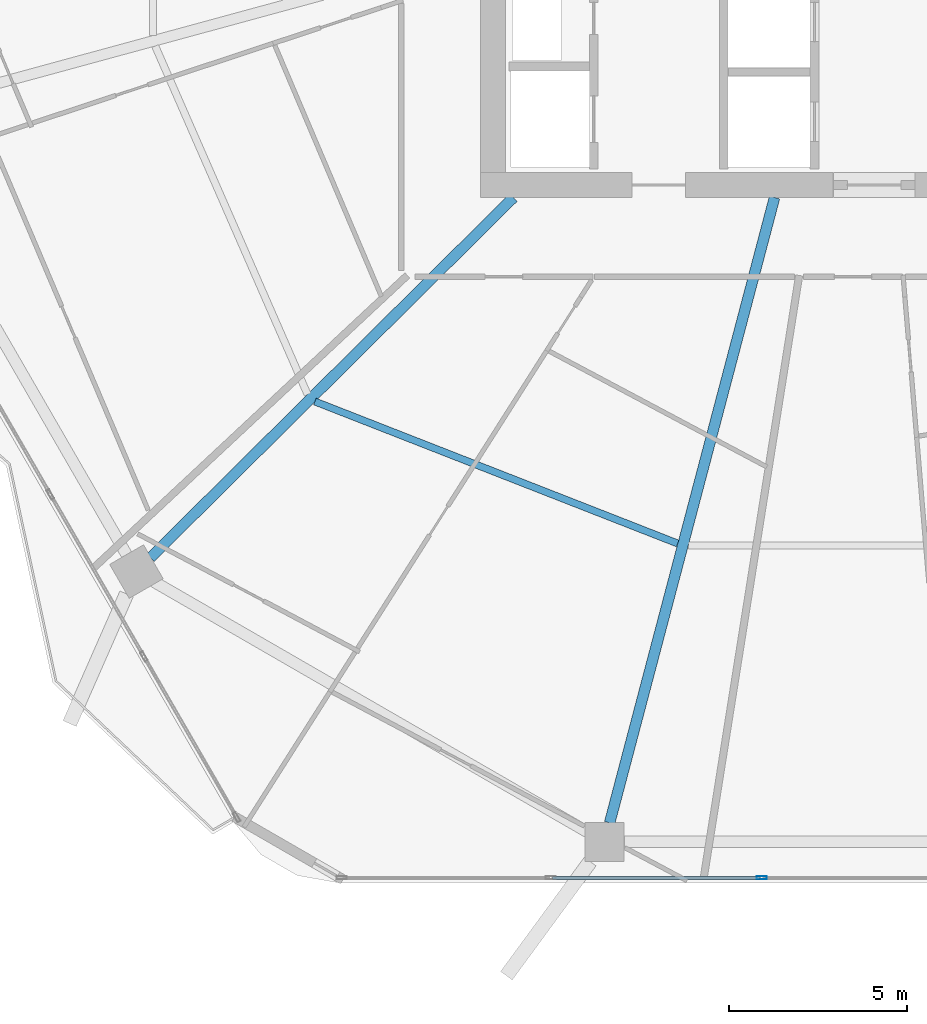
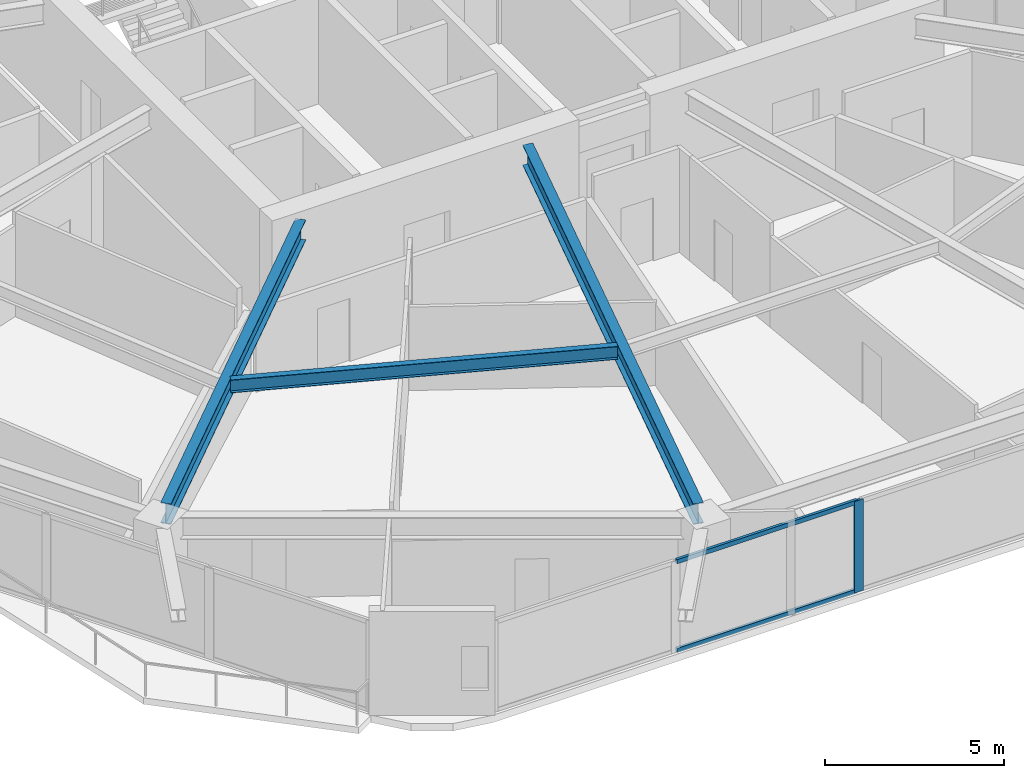
# One storey, part 3 of 29: 3 beams, 3 members, 1 element without a shape of its own.
"""IFC4 building model written with IfcOpenShell, lengths in metres."""

from ifc_helpers import new_model, si_unit, direction, frame, origin, origin_2d, place, context, subcontext, project, spatial, hollow_rectangle, i_section, extrude, material, material_profile, profile_set, type_object, element, aggregate, save


model = new_model("IFC4")

# Units and contexts
model_context = context("Model", 3, precision=1e-05, world=origin(), true_north=direction((0.0, 1.0)))
body_context = subcontext(model_context, "Body", "Model", "MODEL_VIEW")
ifc_project = project(units=[si_unit("LENGTHUNIT", "METRE"), si_unit("AREAUNIT", "SQUARE_METRE"), si_unit("VOLUMEUNIT", "CUBIC_METRE"), si_unit("PLANEANGLEUNIT", "RADIAN"), si_unit("MASSUNIT", "GRAM", prefix="KILO")], contexts=[model_context])

# Site, building, storey
site_placement = place(None, origin())
site = spatial("IfcSite", under=ifc_project, at=site_placement, CompositionType="ELEMENT")
building_placement = place(site_placement, origin())
building = spatial("IfcBuilding", under=site, at=building_placement, Name="Zuhravey Tower", CompositionType="ELEMENT")
storey_placement = place(building_placement, frame((0.0, 0.0, 134.199951171875)))
storey = spatial("IfcBuildingStorey", under=building, at=storey_placement, Name="L33", CompositionType="ELEMENT", Elevation=134.199951171875)

# Curtain wall, members
ifc_material_1 = material(Name="Thermally broken anodised aluminium", Category="aluminium")
curtain_wall_type = type_object("IfcCurtainWallType", Name="Zone 1-2 Residential Curtain Wall CW3", PredefinedType="NOTDEFINED", material=ifc_material_1)
curtain_wall_placement = place(storey_placement, origin())
curtain_wall = element("IfcCurtainWall", 1, at=curtain_wall_placement, inside=storey, type_object=curtain_wall_type, Name="L33 CW3 CW-L33-F5-1", PredefinedType="NOTDEFINED")
ifc_material_2 = material(Name="Anodised aluminium", Category="aluminium")
ifc_material_profile_1 = material_profile(ifc_material_2, hollow_rectangle(XDim=0.090087890625, YDim=0.284912109375, WallThickness=0.0048828125, at=origin_2d()), Name="ALU-RHS-90x285x5")
ifc_profile_set_1 = profile_set([ifc_material_profile_1], Name="Anodised aluminium")
member_type_1 = type_object("IfcMemberType", Name="Curtain-Wall Mullion 90x180", PredefinedType="MULLION", material=ifc_profile_set_1)
member_1_placement = place(storey_placement, frame((33.0400390625, 3.04150390625, 0.0), z_axis=(0.0, 0.0, 1.0), x_axis=(0.0, -1.0, 0.0)))
member_1 = element("IfcMember", 2, at=member_1_placement, type_object=member_type_1, Name="CW3 mullion 4", PredefinedType="MULLION", context=body_context, shape_type="SweptSolid", body=[
    extrude(hollow_rectangle(XDim=0.090087890625, YDim=0.284912109375, WallThickness=0.0048828125, at=origin_2d()), origin(), (0.0, 0.0, 1.0), 3.1220703125),
])
ifc_material_profile_2 = material_profile(ifc_material_2, hollow_rectangle(XDim=0.090087890625, YDim=0.14990234375, WallThickness=0.0048828125, at=origin_2d()), Name="ALU-RHS-90x150x5")
ifc_profile_set_2 = profile_set([ifc_material_profile_2], Name="Anodised aluminium")
member_type_2 = type_object("IfcMemberType", Name="Curtain-Wall Transom 90x150", PredefinedType="USERDEFINED", material=ifc_profile_set_2)
member_2_placement = place(storey_placement, frame((32.9951171875, 3.04150390625, 0.045166015625), z_axis=(-1.0, 0.0, 0.0), x_axis=(0.0, -1.0, 0.0)))
member_2 = element("IfcMember", 3, at=member_2_placement, type_object=member_type_2, Name="CW3 transom 4.1", ObjectType="TRANSOM", PredefinedType="USERDEFINED", context=body_context, shape_type="SweptSolid", body=[
    extrude(hollow_rectangle(XDim=0.090087890625, YDim=0.14990234375, WallThickness=0.0048828125, at=origin_2d()), origin(), (0.0, 0.0, 1.0), 5.829833984375),
])
member_3_placement = place(storey_placement, frame((32.9951171875, 3.04150390625, 3.0771484375), z_axis=(-1.0, 0.0, 0.0), x_axis=(0.0, -1.0, 0.0)))
member_3 = element("IfcMember", 4, at=member_3_placement, type_object=member_type_2, Name="CW3 transom 4.2", ObjectType="TRANSOM", PredefinedType="USERDEFINED", context=body_context, shape_type="SweptSolid", body=[
    extrude(hollow_rectangle(XDim=0.090087890625, YDim=0.14990234375, WallThickness=0.0048828125, at=origin_2d()), origin(), (0.0, 0.0, 1.0), 5.829833984375),
])
aggregate(curtain_wall, [member_1, member_2, member_3])

# Beams
ifc_material_3 = material(Name="Steel SM355", Category="steel")
ifc_material_profile_3 = material_profile(ifc_material_3, i_section(OverallWidth=0.300048828125, OverallDepth=0.699951171875, WebThickness=0.012939453125, FlangeThickness=0.02392578125, at=origin_2d()), Name="H-700x300x13x24")
ifc_profile_set_3 = profile_set([ifc_material_profile_3], Name="Steel SM355")
beam_type_1 = type_object("IfcBeamType", Name="Radial Primary Girder H700x300", PredefinedType="BEAM", material=ifc_profile_set_3)
beam_1_placement = place(storey_placement, frame((26.068603515625, 22.14697265625, 3.199951171875), z_axis=(-0.709906230344, -0.704296204816, 0.0), x_axis=(0.704296204816, -0.709906230344, 0.0)))
element("IfcBeam", 5, at=beam_1_placement, inside=storey, type_object=beam_type_1, Name="L33 RG1 BM-L33-RAD-08", PredefinedType="BEAM", context=body_context, shape_type="SweptSolid", body=[
    extrude(i_section(OverallWidth=0.300048828125, OverallDepth=0.699951171875, WebThickness=0.012939453125, FlangeThickness=0.02392578125, at=origin_2d()), origin(), (0.0, 0.0, 1.0), 14.361083984375),
])
beam_2_placement = place(storey_placement, frame((33.40185546875, 22.14697265625, 3.199951171875), z_axis=(-0.25498755891, -0.966944333869, 0.0), x_axis=(0.966944333869, -0.25498755891, 0.0)))
element("IfcBeam", 6, at=beam_2_placement, inside=storey, type_object=beam_type_1, Name="L33 RG1 BM-L33-RAD-09", PredefinedType="BEAM", context=body_context, shape_type="SweptSolid", body=[
    extrude(i_section(OverallWidth=0.300048828125, OverallDepth=0.699951171875, WebThickness=0.012939453125, FlangeThickness=0.02392578125, at=origin_2d()), origin(), (0.0, 0.0, 1.0), 18.1611328125),
])
ifc_material_profile_4 = material_profile(ifc_material_3, i_section(OverallWidth=0.199951171875, OverallDepth=0.449951171875, WebThickness=0.009033203125, FlangeThickness=0.013916015625, at=origin_2d()), Name="H-450x200x9x14")
ifc_profile_set_4 = profile_set([ifc_material_profile_4], Name="Steel SM355")
beam_type_2 = type_object("IfcBeamType", Name="Secondary Floor Joist H450x200", PredefinedType="JOIST", material=ifc_profile_set_4)
beam_3_placement = place(storey_placement, frame((20.49462890625, 16.418701171875, 3.324951171875), z_axis=(0.931216764731, -0.364465824302, 0.0), x_axis=(0.364465824302, 0.931216764731, 0.0)))
element("IfcBeam", 7, at=beam_3_placement, inside=storey, type_object=beam_type_2, Name="L33 SJ1 BM-L33-SJ-08-1", PredefinedType="JOIST", context=body_context, shape_type="SweptSolid", body=[
    extrude(i_section(OverallWidth=0.199951171875, OverallDepth=0.449951171875, WebThickness=0.009033203125, FlangeThickness=0.013916015625, at=origin_2d()), origin(), (0.0, 0.0, 1.0), 10.939453125),
])

save(model, "model.ifc")
